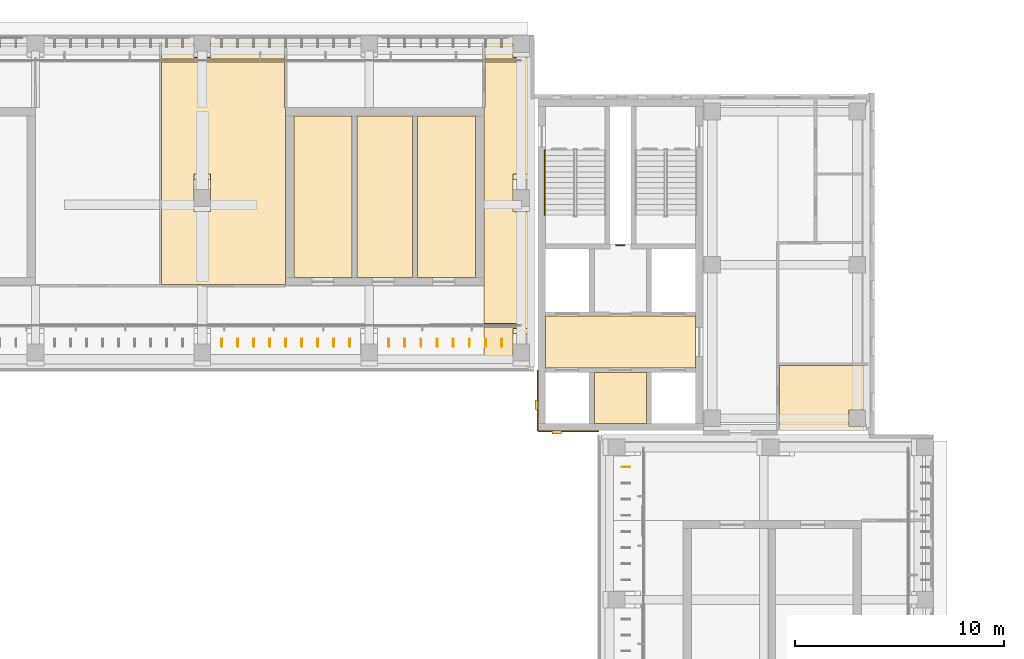
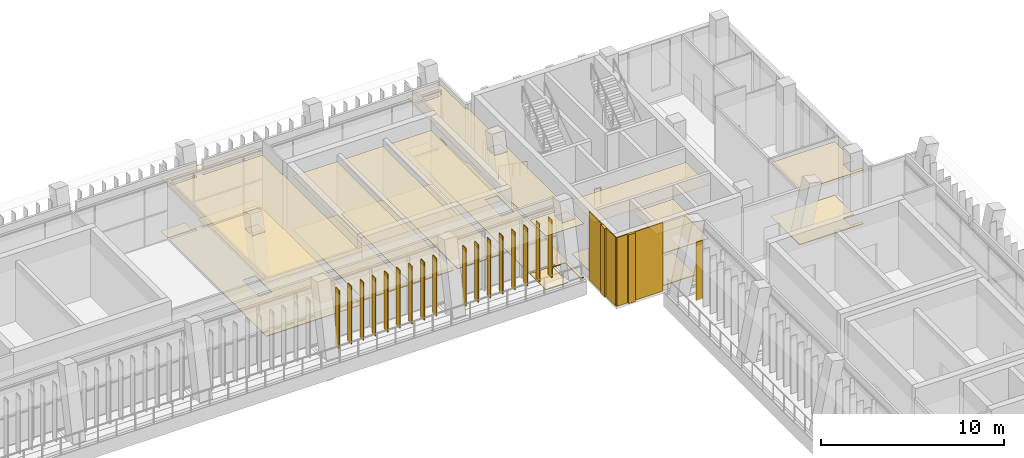
# One storey, part 87 of 89: 20 coverings, 18 shading devices, 2 railings.
"""IFC4 building model written with IfcOpenShell, lengths in metres."""

from ifc_helpers import new_model, si_unit, direction, frame, frame_2d, origin, origin_2d, place, context, subcontext, project, spatial, polyline, rectangle, circle, outline, extrude, material, layer, layer_set, type_object, element, save


model = new_model("IFC4")

# Units and contexts
model_context = context("Model", 3, precision=1e-05, world=origin(), true_north=direction((0.0, 1.0)))
body_context = subcontext(model_context, "Body", "Model", "MODEL_VIEW")
ifc_project = project(units=[si_unit("LENGTHUNIT", "METRE"), si_unit("AREAUNIT", "SQUARE_METRE"), si_unit("VOLUMEUNIT", "CUBIC_METRE"), si_unit("PLANEANGLEUNIT", "RADIAN"), si_unit("MASSUNIT", "GRAM", prefix="KILO")], contexts=[model_context])

# Site, building, storey
site_placement = place(None, origin())
site = spatial("IfcSite", under=ifc_project, at=site_placement, CompositionType="ELEMENT")
building_placement = place(site_placement, origin())
building = spatial("IfcBuilding", under=site, at=building_placement, Name="Lantern Court Media Centre", CompositionType="ELEMENT")
storey_placement = place(building_placement, frame((0.0, 0.0, 14.39990234375)))
storey = spatial("IfcBuildingStorey", under=building, at=storey_placement, Name="L03", CompositionType="ELEMENT", Elevation=14.39990234375)

# Coverings
ifc_material_1 = material(Name="Carpet")
ifc_layer_1 = layer(ifc_material_1, 0.050048828125)
ifc_layer_set_1 = layer_set([ifc_layer_1], Name="Carpet")
covering_type_1 = type_object("IfcCoveringType", Name="Carpet floor finish", PredefinedType="FLOORING", material=ifc_layer_set_1)
covering_1_placement = place(storey_placement, origin())
element("IfcCovering", 1, at=covering_1_placement, inside=storey, type_object=covering_type_1, Name="Editing Suite 19 floor finish", PredefinedType="FLOORING", context=body_context, shape_type="SweptSolid", body=[
    extrude(outline(polyline([(71.169921875, 111.195068359375), (71.169921875, 103.455078125), (68.405029296875, 103.455078125), (68.405029296875, 111.195068359375), (71.169921875, 111.195068359375)])), origin(), (0.0, 0.0, 1.0), 0.050048828125),
])
covering_2_placement = place(storey_placement, origin())
element("IfcCovering", 2, at=covering_2_placement, inside=storey, type_object=covering_type_1, Name="Editing Suite 20 floor finish", PredefinedType="FLOORING", context=body_context, shape_type="SweptSolid", body=[
    extrude(outline(polyline([(71.429931640625, 111.195068359375), (74.070068359375, 111.195068359375), (74.070068359375, 103.455078125), (71.429931640625, 103.455078125), (71.429931640625, 111.195068359375)])), origin(), (0.0, 0.0, 1.0), 0.050048828125),
])
covering_3_placement = place(storey_placement, origin())
element("IfcCovering", 3, at=covering_3_placement, inside=storey, type_object=covering_type_1, Name="Editing Suite 21 floor finish", PredefinedType="FLOORING", context=body_context, shape_type="SweptSolid", body=[
    extrude(outline(polyline([(74.330078125, 111.195068359375), (77.094970703125, 111.195068359375), (77.094970703125, 103.455078125), (74.330078125, 103.455078125), (74.330078125, 111.195068359375)])), origin(), (0.0, 0.0, 1.0), 0.050048828125),
])
covering_4_placement = place(storey_placement, origin())
element("IfcCovering", 4, at=covering_4_placement, inside=storey, type_object=covering_type_1, Name="Production Office 04 floor finish", PredefinedType="FLOORING", context=body_context, shape_type="SweptSolid", body=[
    extrude(outline(polyline([(67.945068359375, 114.699951171875), (67.945068359375, 113.929931640625), (64.199951171875, 113.929931640625), (64.195068359375, 113.77490234375), (67.945068359375, 113.77001953125), (67.945068359375, 111.60498046875), (67.9951171875, 111.60009765625), (67.9951171875, 103.117431640625), (62.054931640625, 103.117431640625), (62.054931640625, 113.77001953125), (63.804931640625, 113.77490234375), (63.800537109375, 113.929931640625), (62.054931640625, 113.929931640625), (62.054931640625, 114.699951171875), (63.594970703125, 114.699951171875), (63.60009765625, 113.9951171875), (64.403076171875, 113.99609375), (64.405029296875, 114.699951171875), (67.945068359375, 114.699951171875)]), holes=[polyline([(63.594970703125, 106.60009765625), (64.404541015625, 106.59814453125), (64.40185546875, 108.404541015625), (63.595458984375, 108.40185546875), (63.594970703125, 106.60009765625)])]), origin(), (0.0, 0.0, 1.0), 0.050048828125),
])
covering_5_placement = place(storey_placement, origin())
element("IfcCovering", 5, at=covering_5_placement, inside=storey, type_object=covering_type_1, Name="Switchroom floor finish", PredefinedType="FLOORING", context=body_context, shape_type="SweptSolid", body=[
    extrude(outline(polyline([(95.699951171875, 96.10009765625), (91.66748046875, 96.10009765625), (91.66748046875, 99.22900390625), (95.699951171875, 99.22900390625), (95.699951171875, 97.10498046875), (94.9951171875, 97.10009765625), (94.995849609375, 96.297119140625), (95.699951171875, 96.294921875), (95.699951171875, 96.10009765625)])), origin(), (0.0, 0.0, 1.0), 0.050048828125),
])
ifc_material_2 = material(Name="Ceramic tile")
ifc_layer_2 = layer(ifc_material_2, 0.050048828125)
ifc_layer_set_2 = layer_set([ifc_layer_2], Name="Ceramic tile")
covering_type_2 = type_object("IfcCoveringType", Name="Ceramic tile floor finish", PredefinedType="FLOORING", material=ifc_layer_set_2)
covering_6_placement = place(storey_placement, origin())
element("IfcCovering", 6, at=covering_6_placement, inside=storey, type_object=covering_type_2, Name="Accessible WC floor finish", PredefinedType="FLOORING", context=body_context, shape_type="SweptSolid", body=[
    extrude(outline(polyline([(85.294921875, 96.455078125), (82.804931640625, 96.455078125), (82.804931640625, 98.89501953125), (85.294921875, 98.89501953125), (85.294921875, 96.455078125)])), origin(), (0.0, 0.0, 1.0), 0.050048828125),
])

# Railing
ifc_material_3 = material(Name="Powder-coated steel", Category="steel")
railing_type_1 = type_object("IfcRailingType", Name="Floor edge guard 1100", PredefinedType="GUARDRAIL", material=ifc_material_3)
railing_1_placement = place(storey_placement, frame((83.85009765625, 104.989990234375, 0.0)))
element("IfcRailing", 7, at=railing_1_placement, inside=storey, type_object=railing_type_1, Name="L03 opening guard 101", PredefinedType="GUARDRAIL", context=body_context, shape_type="SweptSolid", body=[
    extrude(circle(Radius=0.02392578125, at=origin_2d()), frame((0.0, 0.0, 1.076171875), z_axis=(1.0, 0.0, 0.0), x_axis=(0.0, 1.0, 0.0)), (0.0, 0.0, 1.0), 0.39990234375),
    extrude(circle(Radius=0.02099609375, at=origin_2d()), origin(), (0.0, 0.0, 1.0), 1.052001953125),
    extrude(circle(Radius=0.02099609375, at=origin_2d()), frame((0.39990234375, 0.0, 0.0)), (0.0, 0.0, 1.0), 1.052001953125),
])

# Coverings
ifc_material_4 = material(Name="Honed limestone cladding", Category="masonry")
ifc_layer_3 = layer(ifc_material_4, 0.050048828125)
ifc_layer_set_3 = layer_set([ifc_layer_3], Name="Honed limestone cladding")
covering_type_3 = type_object("IfcCoveringType", Name="Limestone cladding panel 50", PredefinedType="CLADDING", material=ifc_layer_set_3)
for number, where, z_axis, x_axis, name in (
    (8, (80.074951171875, 96.10009765625, 0.0), (0.0, 0.0, 1.0), (0.0, 1.0, 0.0), "Limestone joint cladding N-NE L03"),
    (9, (80.10009765625, 96.074951171875, 0.0), (0.0, 0.0, 1.0), (1.0, 0.0, 0.0), "Limestone joint cladding E-NE L03"),
):
    element("IfcCovering", number, at=place(storey_placement, frame(where, z_axis=z_axis, x_axis=x_axis)), inside=storey, type_object=covering_type_3, Name=name, PredefinedType="CLADDING", context=body_context, shape_type="SweptSolid", body=[
        extrude(rectangle(XDim=2.89990234375, YDim=0.050048828125, at=frame_2d((1.449951171875, 0.0))), origin(), (0.0, 0.0, 1.0), 4.580078125),
    ])
ifc_layer_4 = layer(ifc_material_4, 0.14990234375)
ifc_layer_set_4 = layer_set([ifc_layer_4], Name="Honed limestone cladding")
covering_type_4 = type_object("IfcCoveringType", Name="Limestone pilaster cladding 150", PredefinedType="CLADDING", material=ifc_layer_set_4)
covering_7_placement = place(storey_placement, frame((80.77490234375, 96.02490234375, 0.0), z_axis=(0.0, 0.0, 1.0), x_axis=(1.0, 0.0, 0.0)))
element("IfcCovering", 10, at=covering_7_placement, inside=storey, type_object=covering_type_4, Name="Limestone pilaster rib", PredefinedType="CLADDING", context=body_context, shape_type="SweptSolid", body=[
    extrude(rectangle(XDim=0.4501953125, YDim=0.14990234375, at=frame_2d((0.22509765625, 0.0))), origin(), (0.0, 0.0, 1.0), 4.580078125),
])
covering_8_placement = place(storey_placement, frame((80.02490234375, 97.125, 0.0), z_axis=(0.0, 0.0, 1.0), x_axis=(0.0, 1.0, 0.0)))
element("IfcCovering", 11, at=covering_8_placement, inside=storey, type_object=covering_type_4, Name="Limestone pilaster rib", PredefinedType="CLADDING", context=body_context, shape_type="SweptSolid", body=[
    extrude(rectangle(XDim=0.449951171875, YDim=0.14990234375, at=frame_2d((0.22509765625, 0.0))), origin(), (0.0, 0.0, 1.0), 4.580078125),
])

# Railing
railing_type_2 = type_object("IfcRailingType", Name="Stair handrail 900", PredefinedType="HANDRAIL", material=ifc_material_3)
railing_2_placement = place(storey_placement, frame((80.426025390625, 109.550048828125, 0.184814453125)))
element("IfcRailing", 12, at=railing_2_placement, inside=storey, type_object=railing_type_2, Name="L03 ST-NEB stair handrail 1", PredefinedType="HANDRAIL", context=body_context, shape_type="SweptSolid", body=[
    extrude(circle(Radius=0.02392578125, at=origin_2d()), frame((0.0, 0.0, 0.8759765625), z_axis=(0.0, -0.815376961211, 0.578930402662), x_axis=(1.0, 0.0, 0.0)), (0.0, 0.0, 1.0), 3.82666015625),
    extrude(circle(Radius=0.02099609375, at=origin_2d()), origin(), (0.0, 0.0, 1.0), 0.851806640625),
    extrude(circle(Radius=0.02099609375, at=origin_2d()), frame((0.0, -0.780029296875, 0.5537109375)), (0.0, 0.0, 1.0), 0.851806640625),
    extrude(circle(Radius=0.02099609375, at=origin_2d()), frame((0.0, -1.56005859375, 1.107666015625)), (0.0, 0.0, 1.0), 0.851806640625),
    extrude(circle(Radius=0.02099609375, at=origin_2d()), frame((0.0, -2.340087890625, 1.66162109375)), (0.0, 0.0, 1.0), 0.851806640625),
    extrude(circle(Radius=0.02099609375, at=origin_2d()), frame((0.0, -3.1201171875, 2.21533203125)), (0.0, 0.0, 1.0), 0.851806640625),
])

# Coverings
ifc_material_5 = material(Name="Mineral fibre ceiling tile")
ifc_layer_5 = layer(ifc_material_5, 0.02001953125)
ifc_layer_set_5 = layer_set([ifc_layer_5], Name="Mineral fibre ceiling tile")
covering_type_5 = type_object("IfcCoveringType", Name="Suspended ceiling tile", PredefinedType="CEILING", material=ifc_layer_set_5)
covering_9_placement = place(storey_placement, frame((0.0, 0.0, 3.60009765625)))
element("IfcCovering", 13, at=covering_9_placement, inside=storey, type_object=covering_type_5, Name="End Lobby ceiling", PredefinedType="CEILING", context=body_context, shape_type="SweptSolid", body=[
    extrude(outline(polyline([(79.89990234375, 99.300048828125), (77.5, 99.300048828125), (77.5, 101.074462890625), (79.1005859375, 101.074951171875), (79.10009765625, 101.2255859375), (77.5, 101.2255859375), (77.5, 111.6044921875), (77.56298828125, 111.60498046875), (77.56298828125, 113.77001953125), (77.5, 113.7744140625), (79.1005859375, 113.77490234375), (79.10009765625, 113.925537109375), (77.5, 113.925537109375), (77.56298828125, 113.929931640625), (77.56298828125, 114.699951171875), (79.759521484375, 114.699951171875), (79.759521484375, 112.0), (79.89990234375, 111.99951171875), (79.89990234375, 99.300048828125)]), holes=[polyline([(79.699951171875, 99.95166015625), (79.699951171875, 100.00048828125), (78.8994140625, 100.0), (78.89990234375, 99.95166015625), (79.699951171875, 99.95166015625)]), polyline([(79.699951171875, 100.199462890625), (79.7001953125, 100.75244140625), (78.899658203125, 100.75244140625), (78.899658203125, 100.199462890625), (79.699951171875, 100.199462890625)]), polyline([(79.699951171875, 107.599609375), (79.7001953125, 108.152587890625), (78.899658203125, 108.15234375), (78.899658203125, 107.599609375), (79.699951171875, 107.599609375)]), polyline([(79.700439453125, 107.39990234375), (78.89990234375, 107.400390625), (78.8994140625, 107.35205078125), (79.699951171875, 107.3515625), (79.700439453125, 107.39990234375)])]), origin(), (0.0, 0.0, 1.0), 0.02001953125),
])
covering_10_placement = place(storey_placement, frame((0.0, 0.0, 3.60009765625)))
element("IfcCovering", 14, at=covering_10_placement, inside=storey, type_object=covering_type_5, Name="Editing Suite 19 ceiling", PredefinedType="CEILING", context=body_context, shape_type="SweptSolid", body=[
    extrude(outline(polyline([(71.300048828125, 103.450439453125), (68.400390625, 103.450439453125), (68.400390625, 111.199462890625), (71.300048828125, 111.199462890625), (71.174560546875, 111.195068359375), (71.174560546875, 103.455078125), (71.300048828125, 103.450439453125)])), origin(), (0.0, 0.0, 1.0), 0.02001953125),
])
covering_11_placement = place(storey_placement, frame((0.0, 0.0, 3.60009765625)))
element("IfcCovering", 15, at=covering_11_placement, inside=storey, type_object=covering_type_5, Name="Editing Suite 20 ceiling", PredefinedType="CEILING", context=body_context, shape_type="SweptSolid", body=[
    extrude(outline(polyline([(74.199951171875, 103.450439453125), (71.300048828125, 103.450439453125), (71.425537109375, 103.455078125), (71.425537109375, 111.195068359375), (71.300048828125, 111.199462890625), (74.199951171875, 111.199462890625), (74.074462890625, 111.195068359375), (74.074462890625, 103.455078125), (74.199951171875, 103.450439453125)])), origin(), (0.0, 0.0, 1.0), 0.02001953125),
])
covering_12_placement = place(storey_placement, frame((0.0, 0.0, 3.60009765625)))
element("IfcCovering", 16, at=covering_12_placement, inside=storey, type_object=covering_type_5, Name="Editing Suite 21 ceiling", PredefinedType="CEILING", context=body_context, shape_type="SweptSolid", body=[
    extrude(outline(polyline([(74.199951171875, 111.199462890625), (77.099609375, 111.199462890625), (77.099609375, 103.450439453125), (74.199951171875, 103.450439453125), (74.325439453125, 103.455078125), (74.325439453125, 111.195068359375), (74.199951171875, 111.199462890625)])), origin(), (0.0, 0.0, 1.0), 0.02001953125),
])
covering_13_placement = place(storey_placement, frame((0.0, 0.0, 3.60009765625)))
element("IfcCovering", 17, at=covering_13_placement, inside=storey, type_object=covering_type_5, Name="Production Office 04 ceiling", PredefinedType="CEILING", context=body_context, shape_type="SweptSolid", body=[
    extrude(outline(polyline([(68.0, 111.6005859375), (67.99951171875, 103.050048828125), (67.9951171875, 103.113037109375), (62.050537109375, 103.113037109375), (62.050537109375, 113.77001953125), (62.0, 113.7744140625), (63.800537109375, 113.77490234375), (63.800048828125, 113.925537109375), (62.0, 113.925537109375), (62.050537109375, 113.929931640625), (62.050537109375, 114.699951171875), (67.949462890625, 114.699951171875), (67.949462890625, 113.929931640625), (68.0, 113.925537109375), (64.199951171875, 113.925537109375), (64.199462890625, 113.77490234375), (68.0, 113.7744140625), (67.949462890625, 113.77001953125), (67.949462890625, 111.60498046875), (68.0, 111.6005859375)]), holes=[polyline([(64.39990234375, 107.599609375), (64.400390625, 108.152587890625), (63.599609375, 108.15234375), (63.599609375, 107.599609375), (64.39990234375, 107.599609375)]), polyline([(64.39990234375, 107.3515625), (64.400146484375, 107.400390625), (63.599609375, 107.400146484375), (63.599853515625, 107.3515625), (64.39990234375, 107.3515625)])]), origin(), (0.0, 0.0, 1.0), 0.02001953125),
])
covering_14_placement = place(storey_placement, frame((0.0, 0.0, 3.60009765625)))
element("IfcCovering", 18, at=covering_14_placement, inside=storey, type_object=covering_type_5, Name="Lift Lobby ceiling", PredefinedType="CEILING", context=body_context, shape_type="SweptSolid", body=[
    extrude(outline(polyline([(80.450439453125, 99.1005859375), (80.450439453125, 101.599609375), (87.6494140625, 101.599609375), (87.6494140625, 99.1005859375), (80.450439453125, 99.1005859375)])), origin(), (0.0, 0.0, 1.0), 0.02001953125),
])
covering_15_placement = place(storey_placement, frame((0.0, 0.0, 3.60009765625)))
element("IfcCovering", 19, at=covering_15_placement, inside=storey, type_object=covering_type_5, Name="Accessible WC ceiling", PredefinedType="CEILING", context=body_context, shape_type="SweptSolid", body=[
    extrude(outline(polyline([(82.800537109375, 98.8994140625), (85.299560546875, 98.8994140625), (85.299560546875, 96.450439453125), (82.800537109375, 96.450439453125), (82.800537109375, 98.8994140625)])), origin(), (0.0, 0.0, 1.0), 0.02001953125),
])
covering_16_placement = place(storey_placement, frame((0.0, 0.0, 3.60009765625)))
element("IfcCovering", 20, at=covering_16_placement, inside=storey, type_object=covering_type_5, Name="Switchroom ceiling", PredefinedType="CEILING", context=body_context, shape_type="SweptSolid", body=[
    extrude(outline(polyline([(95.699951171875, 96.10009765625), (91.6630859375, 96.10009765625), (91.6630859375, 99.2333984375), (95.699951171875, 99.2333984375), (95.699951171875, 97.1005859375), (94.99951171875, 97.10009765625), (94.99951171875, 96.2998046875), (95.699951171875, 96.299560546875), (95.699951171875, 96.10009765625)])), origin(), (0.0, 0.0, 1.0), 0.02001953125),
])
ifc_material_6 = material(Name="Terrazzo")
ifc_layer_6 = layer(ifc_material_6, 0.050048828125)
ifc_layer_set_6 = layer_set([ifc_layer_6], Name="Terrazzo")
covering_type_6 = type_object("IfcCoveringType", Name="Terrazzo floor finish", PredefinedType="FLOORING", material=ifc_layer_set_6)
covering_17_placement = place(storey_placement, origin())
element("IfcCovering", 21, at=covering_17_placement, inside=storey, type_object=covering_type_6, Name="End Lobby floor finish", PredefinedType="FLOORING", context=body_context, shape_type="SweptSolid", body=[
    extrude(outline(polyline([(79.89990234375, 99.300048828125), (79.705078125, 99.300048828125), (79.699951171875, 101.0048828125), (78.895263671875, 101.001953125), (78.89501953125, 99.300048828125), (77.5, 99.300048828125), (77.5, 101.070068359375), (79.10498046875, 101.074951171875), (79.1005859375, 101.22998046875), (77.5, 101.22998046875), (77.5048828125, 111.60009765625), (77.5673828125, 111.60498046875), (77.5673828125, 113.77001953125), (79.10498046875, 113.77490234375), (79.1005859375, 113.929931640625), (77.5673828125, 113.929931640625), (77.5673828125, 114.699951171875), (78.89501953125, 114.699951171875), (78.89990234375, 113.9951171875), (79.703125, 113.99609375), (79.705078125, 114.699951171875), (79.7548828125, 114.699951171875), (79.755126953125, 111.99951171875), (79.89990234375, 111.9951171875), (79.89990234375, 99.300048828125)]), holes=[polyline([(79.699951171875, 106.594970703125), (79.70458984375, 108.40185546875), (78.898193359375, 108.404541015625), (78.895263671875, 106.59814453125), (79.699951171875, 106.594970703125)])]), origin(), (0.0, 0.0, 1.0), 0.050048828125),
])
covering_18_placement = place(storey_placement, origin())
element("IfcCovering", 22, at=covering_18_placement, inside=storey, type_object=covering_type_6, Name="Lift Lobby floor finish", PredefinedType="FLOORING", context=body_context, shape_type="SweptSolid", body=[
    extrude(outline(polyline([(80.455078125, 99.10498046875), (80.455078125, 101.594970703125), (87.64501953125, 101.594970703125), (87.64501953125, 99.10498046875), (80.455078125, 99.10498046875)])), origin(), (0.0, 0.0, 1.0), 0.050048828125),
])

# Shading devices
ifc_material_7 = material(Name="Bronze anodised aluminium louvre", Category="aluminium")
ifc_layer_7 = layer(ifc_material_7, 0.0400390625)
ifc_layer_set_7 = layer_set([ifc_layer_7], Name="Bronze anodised aluminium louvre")
shading_device_type = type_object("IfcShadingDeviceType", Name="Vertical louvre 40x400 under beam", PredefinedType="USERDEFINED", material=ifc_layer_set_7)
for number, where, z_axis, x_axis, name in (
    (23, (64.933349609375, 100.320068359375, 0.000244140625), (0.0, 0.0, 1.0), (1.0, 0.0, 0.0), "Vertical louvre N inner L03"),
    (24, (65.699951171875, 100.320068359375, 0.000244140625), (0.0, 0.0, 1.0), (1.0, 0.0, 0.0), "Vertical louvre N inner L03"),
    (25, (66.466552734375, 100.320068359375, 0.000244140625), (0.0, 0.0, 1.0), (1.0, 0.0, 0.0), "Vertical louvre N inner L03"),
    (26, (67.2333984375, 100.320068359375, 0.000244140625), (0.0, 0.0, 1.0), (1.0, 0.0, 0.0), "Vertical louvre N inner L03"),
    (27, (68.0, 100.320068359375, 0.000244140625), (0.0, 0.0, 1.0), (1.0, 0.0, 0.0), "Vertical louvre N inner L03"),
    (28, (68.7666015625, 100.320068359375, 0.000244140625), (0.0, 0.0, 1.0), (1.0, 0.0, 0.0), "Vertical louvre N inner L03"),
    (29, (69.533447265625, 100.320068359375, 0.000244140625), (0.0, 0.0, 1.0), (1.0, 0.0, 0.0), "Vertical louvre N inner L03"),
    (30, (70.300048828125, 100.320068359375, 0.000244140625), (0.0, 0.0, 1.0), (1.0, 0.0, 0.0), "Vertical louvre N inner L03"),
    (31, (71.066650390625, 100.320068359375, 0.000244140625), (0.0, 0.0, 1.0), (1.0, 0.0, 0.0), "Vertical louvre N inner L03"),
    (32, (72.9375, 100.320068359375, 0.000244140625), (0.0, 0.0, 1.0), (1.0, 0.0, 0.0), "Vertical louvre N inner L03"),
    (33, (73.71240234375, 100.320068359375, 0.000244140625), (0.0, 0.0, 1.0), (1.0, 0.0, 0.0), "Vertical louvre N inner L03"),
    (34, (74.487548828125, 100.320068359375, 0.000244140625), (0.0, 0.0, 1.0), (1.0, 0.0, 0.0), "Vertical louvre N inner L03"),
    (35, (75.262451171875, 100.320068359375, 0.000244140625), (0.0, 0.0, 1.0), (1.0, 0.0, 0.0), "Vertical louvre N inner L03"),
    (36, (76.03759765625, 100.320068359375, 0.000244140625), (0.0, 0.0, 1.0), (1.0, 0.0, 0.0), "Vertical louvre N inner L03"),
    (37, (76.8125, 100.320068359375, 0.000244140625), (0.0, 0.0, 1.0), (1.0, 0.0, 0.0), "Vertical louvre N inner L03"),
    (38, (77.58740234375, 100.320068359375, 0.000244140625), (0.0, 0.0, 1.0), (1.0, 0.0, 0.0), "Vertical louvre N inner L03"),
    (39, (78.362548828125, 100.320068359375, 0.000244140625), (0.0, 0.0, 1.0), (1.0, 0.0, 0.0), "Vertical louvre N inner L03"),
):
    element("IfcShadingDevice", number, at=place(storey_placement, frame(where, z_axis=z_axis, x_axis=x_axis)), inside=storey, type_object=shading_device_type, Name=name, ObjectType="VERTICAL LOUVRE", PredefinedType="USERDEFINED", context=body_context, shape_type="SweptSolid", body=[
        extrude(rectangle(XDim=0.0400390625, YDim=0.39990234375, at=origin_2d()), origin(), (0.0, 0.0, 1.0), 3.89990234375),
    ])
shading_device_placement = place(storey_placement, frame((84.320068359375, 94.362548828125, 0.000244140625), z_axis=(0.0, 0.0, 1.0), x_axis=(1.0, 0.0, 0.0)))
element("IfcShadingDevice", 40, at=shading_device_placement, inside=storey, type_object=shading_device_type, Name="Vertical louvre E inner L03", ObjectType="VERTICAL LOUVRE", PredefinedType="USERDEFINED", context=body_context, shape_type="SweptSolid", body=[
    extrude(rectangle(XDim=0.39990234375, YDim=0.0400390625, at=origin_2d()), origin(), (0.0, 0.0, 1.0), 3.89990234375),
])

save(model, "model.ifc")
